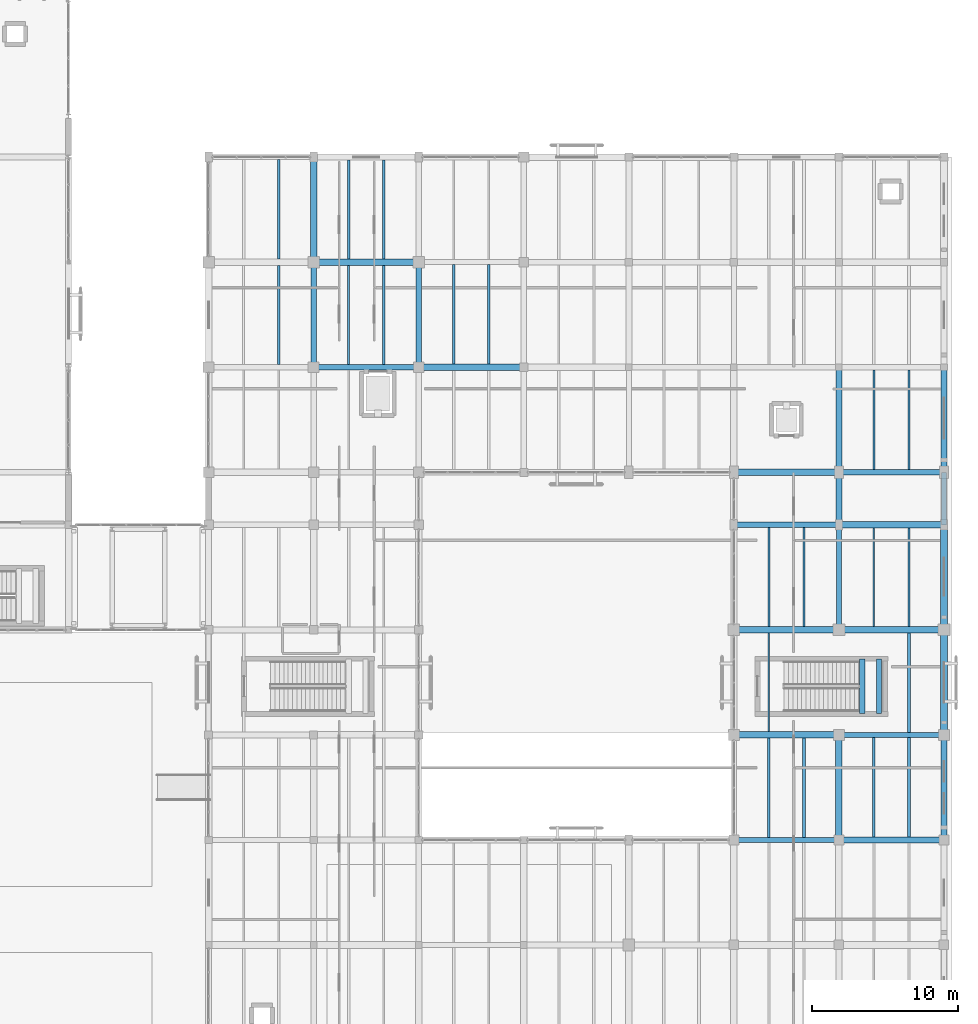
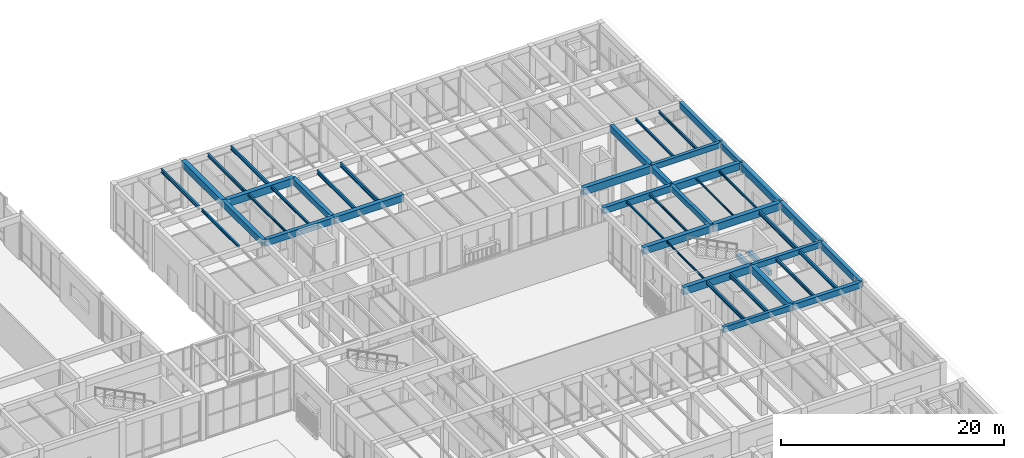
# One storey, part 103 of 169: 47 beams.
"""IFC4 building model written with IfcOpenShell, lengths in metres."""

from ifc_helpers import new_model, si_unit, direction, frame, origin, origin_2d, place, context, subcontext, project, spatial, rectangle, i_section, extrude, material, material_profile, profile_set, type_object, element, save


model = new_model("IFC4")

# Units and contexts
model_context = context("Model", 3, precision=1e-05, world=origin(), true_north=direction((0.0, 1.0)))
body_context = subcontext(model_context, "Body", "Model", "MODEL_VIEW")
ifc_project = project(units=[si_unit("LENGTHUNIT", "METRE"), si_unit("AREAUNIT", "SQUARE_METRE"), si_unit("VOLUMEUNIT", "CUBIC_METRE"), si_unit("PLANEANGLEUNIT", "RADIAN"), si_unit("MASSUNIT", "GRAM", prefix="KILO")], contexts=[model_context])

# Site, building, storey
site_placement = place(None, origin())
site = spatial("IfcSite", under=ifc_project, at=site_placement, CompositionType="ELEMENT")
building_placement = place(site_placement, origin())
building = spatial("IfcBuilding", under=site, at=building_placement, Name="Mazaris Harbour Polytechnic", CompositionType="ELEMENT")
storey_placement = place(building_placement, origin())
storey = spatial("IfcBuildingStorey", under=building, at=storey_placement, Name="L00", CompositionType="ELEMENT", Elevation=0.0)

# Beams
ifc_material_1 = material(Name="Concrete C35/45", Category="concrete")
ifc_material_profile_1 = material_profile(ifc_material_1, rectangle(XDim=0.35009765625, YDim=0.60009765625, at=origin_2d()), Name="RECT350x600")
ifc_profile_set_1 = profile_set([ifc_material_profile_1], Name="Concrete C35/45")
beam_type_1 = type_object("IfcBeamType", Name="RC Girder 350x600", PredefinedType="BEAM", material=ifc_profile_set_1)
beam_1_placement = place(storey_placement, frame((158.39990234375, 61.199951171875, 4.800048828125), z_axis=(1.0, 0.0, 0.0), x_axis=(0.0, 1.0, 0.0)))
element("IfcBeam", 1, at=beam_1_placement, inside=storey, type_object=beam_type_1, Name="V5 L00 Girder 2715", PredefinedType="BEAM", context=body_context, shape_type="SweptSolid", body=[
    extrude(rectangle(XDim=0.35009765625, YDim=0.60009765625, at=origin_2d()), origin(), (0.0, 0.0, 1.0), 7.2001953125),
])
for number, where, z_axis, x_axis, name in (
    (2, (165.60009765625, 68.39990234375, 4.800048828125), (1.0, 0.0, 0.0), (0.0, 1.0, 0.0), "V5 L00 Girder 2720"),
    (3, (165.60009765625, 86.39990234375, 4.800048828125), (1.0, 0.0, 0.0), (0.0, 1.0, 0.0), "V5 L00 Girder 2735"),
    (4, (165.60009765625, 75.60009765625, 4.800048828125), (0.0, 1.0, 0.0), (-1.0, 0.0, 0.0), "V5 L00 Tie Girder 2805"),
):
    element("IfcBeam", number, at=place(storey_placement, frame(where, z_axis=z_axis, x_axis=x_axis)), inside=storey, type_object=beam_type_1, Name=name, PredefinedType="BEAM", context=body_context, shape_type="SweptSolid", body=[
        extrude(rectangle(XDim=0.35009765625, YDim=0.60009765625, at=origin_2d()), origin(), (0.0, 0.0, 1.0), 7.199951171875),
    ])
ifc_material_2 = material(Name="Concrete C35/45", Category="concrete")
ifc_material_profile_2 = material_profile(ifc_material_2, rectangle(XDim=0.35009765625, YDim=0.60009765625, at=origin_2d()), Name="RECT350x600")
ifc_profile_set_2 = profile_set([ifc_material_profile_2], Name="Concrete C35/45")
beam_type_2 = type_object("IfcBeamType", Name="RC Girder 350x600 Exterior", PredefinedType="BEAM", material=ifc_profile_set_2)
beam_2_placement = place(storey_placement, frame((172.800048828125, 82.800048828125, 4.800048828125), z_axis=(0.0, 1.0, 0.0), x_axis=(-1.0, 0.0, 0.0)))
element("IfcBeam", 5, at=beam_2_placement, inside=storey, type_object=beam_type_2, Name="V5 L00 Tie Girder 2815", PredefinedType="BEAM", context=body_context, shape_type="SweptSolid", body=[
    extrude(rectangle(XDim=0.35009765625, YDim=0.60009765625, at=origin_2d()), origin(), (0.0, 0.0, 1.0), 3.599853515625),
])
ifc_material_3 = material(Name="Concrete C35/45", Category="concrete")
ifc_material_profile_3 = material_profile(ifc_material_3, rectangle(XDim=0.39990234375, YDim=0.64990234375, at=origin_2d()), Name="RECT400x650")
ifc_profile_set_3 = profile_set([ifc_material_profile_3], Name="Concrete C35/45")
beam_type_3 = type_object("IfcBeamType", Name="RC Girder 400x650", PredefinedType="BEAM", material=ifc_profile_set_3)
for number, where, z_axis, x_axis, name in (
    (6, (165.60009765625, 61.199951171875, 4.77490234375), (1.0, 0.0, 0.0), (0.0, 1.0, 0.0), "V5 L00 Girder 2716"),
    (7, (136.800048828125, 93.60009765625, 4.77490234375), (0.0, 1.0, 0.0), (-1.0, 0.0, 0.0), "V5 L00 Tie Girder 2781"),
):
    element("IfcBeam", number, at=place(storey_placement, frame(where, z_axis=z_axis, x_axis=x_axis)), inside=storey, type_object=beam_type_3, Name=name, PredefinedType="BEAM", context=body_context, shape_type="SweptSolid", body=[
        extrude(rectangle(XDim=0.39990234375, YDim=0.64990234375, at=origin_2d()), origin(), (0.0, 0.0, 1.0), 7.199951171875),
    ])
beam_3_placement = place(storey_placement, frame((165.60009765625, 82.800048828125, 4.77490234375), z_axis=(0.0, 1.0, 0.0), x_axis=(-1.0, 0.0, 0.0)))
element("IfcBeam", 8, at=beam_3_placement, inside=storey, type_object=beam_type_3, Name="V5 L00 Tie Girder 2806", PredefinedType="BEAM", context=body_context, shape_type="SweptSolid", body=[
    extrude(rectangle(XDim=0.39990234375, YDim=0.64990234375, at=origin_2d()), origin(), (0.0, 0.0, 1.0), 3.599853515625),
])
ifc_material_4 = material(Name="Concrete C35/45", Category="concrete")
ifc_material_profile_4 = material_profile(ifc_material_4, rectangle(XDim=0.39990234375, YDim=0.64990234375, at=origin_2d()), Name="RECT400x650")
ifc_profile_set_4 = profile_set([ifc_material_profile_4], Name="Concrete C35/45")
beam_type_4 = type_object("IfcBeamType", Name="RC Girder 400x650 Exterior", PredefinedType="BEAM", material=ifc_profile_set_4)
beam_4_placement = place(storey_placement, frame((172.800048828125, 86.39990234375, 4.77490234375), z_axis=(0.0, 1.0, 0.0), x_axis=(-1.0, 0.0, 0.0)))
element("IfcBeam", 9, at=beam_4_placement, inside=storey, type_object=beam_type_4, Name="V5 L00 Tie Girder 2816", PredefinedType="BEAM", context=body_context, shape_type="SweptSolid", body=[
    extrude(rectangle(XDim=0.39990234375, YDim=0.64990234375, at=origin_2d()), origin(), (0.0, 0.0, 1.0), 7.2001953125),
])
ifc_material_5 = material(Name="Concrete C35/45", Category="concrete")
ifc_material_profile_5 = material_profile(ifc_material_5, rectangle(XDim=0.39990234375, YDim=0.699951171875, at=origin_2d()), Name="RECT400x700")
ifc_profile_set_5 = profile_set([ifc_material_profile_5], Name="Concrete C35/45")
beam_type_5 = type_object("IfcBeamType", Name="RC Girder 400x700", PredefinedType="BEAM", material=ifc_profile_set_5)
beam_5_placement = place(storey_placement, frame((158.39990234375, 82.800048828125, 4.75), z_axis=(1.0, 0.0, 0.0), x_axis=(0.0, 1.0, 0.0)))
element("IfcBeam", 10, at=beam_5_placement, inside=storey, type_object=beam_type_5, Name="V5 L00 Girder 2727", PredefinedType="BEAM", context=body_context, shape_type="SweptSolid", body=[
    extrude(rectangle(XDim=0.39990234375, YDim=0.699951171875, at=origin_2d()), origin(), (0.0, 0.0, 1.0), 7.2001953125),
])
for number, where, z_axis, x_axis, name in (
    (11, (129.60009765625, 93.60009765625, 4.75), (1.0, 0.0, 0.0), (0.0, 1.0, 0.0), "V5 L00 Girder 2737"),
    (12, (129.60009765625, 93.60009765625, 4.75), (0.0, 1.0, 0.0), (-1.0, 0.0, 0.0), "V5 L00 Tie Girder 2772"),
):
    element("IfcBeam", number, at=place(storey_placement, frame(where, z_axis=z_axis, x_axis=x_axis)), inside=storey, type_object=beam_type_5, Name=name, PredefinedType="BEAM", context=body_context, shape_type="SweptSolid", body=[
        extrude(rectangle(XDim=0.39990234375, YDim=0.699951171875, at=origin_2d()), origin(), (0.0, 0.0, 1.0), 7.199951171875),
    ])
beam_6_placement = place(storey_placement, frame((165.60009765625, 86.39990234375, 4.75), z_axis=(0.0, 1.0, 0.0), x_axis=(-1.0, 0.0, 0.0)))
element("IfcBeam", 13, at=beam_6_placement, inside=storey, type_object=beam_type_5, Name="V5 L00 Tie Girder 2807", PredefinedType="BEAM", context=body_context, shape_type="SweptSolid", body=[
    extrude(rectangle(XDim=0.39990234375, YDim=0.699951171875, at=origin_2d()), origin(), (0.0, 0.0, 1.0), 7.2001953125),
])
ifc_material_6 = material(Name="Concrete C35/45", Category="concrete")
ifc_material_profile_6 = material_profile(ifc_material_6, rectangle(XDim=0.39990234375, YDim=0.699951171875, at=origin_2d()), Name="RECT400x700")
ifc_profile_set_6 = profile_set([ifc_material_profile_6], Name="Concrete C35/45")
beam_type_6 = type_object("IfcBeamType", Name="RC Girder 400x700 Exterior", PredefinedType="BEAM", material=ifc_profile_set_6)
beam_7_placement = place(storey_placement, frame((172.800048828125, 61.199951171875, 4.75), z_axis=(0.0, 1.0, 0.0), x_axis=(-1.0, 0.0, 0.0)))
element("IfcBeam", 14, at=beam_7_placement, inside=storey, type_object=beam_type_6, Name="V5 L00 Tie Girder 2812", PredefinedType="BEAM", context=body_context, shape_type="SweptSolid", body=[
    extrude(rectangle(XDim=0.39990234375, YDim=0.699951171875, at=origin_2d()), origin(), (0.0, 0.0, 1.0), 7.199951171875),
])
ifc_material_7 = material(Name="Concrete C40/50", Category="concrete")
ifc_material_profile_7 = material_profile(ifc_material_7, rectangle(XDim=0.449951171875, YDim=0.75, at=origin_2d()), Name="RECT450x750")
ifc_profile_set_7 = profile_set([ifc_material_profile_7], Name="Concrete C40/50")
beam_type_7 = type_object("IfcBeamType", Name="RC Girder 450x750", PredefinedType="BEAM", material=ifc_profile_set_7)
beam_8_placement = place(storey_placement, frame((158.39990234375, 75.60009765625, 4.72509765625), z_axis=(1.0, 0.0, 0.0), x_axis=(0.0, 1.0, 0.0)))
element("IfcBeam", 15, at=beam_8_placement, inside=storey, type_object=beam_type_7, Name="V5 L00 Girder 2723", PredefinedType="BEAM", context=body_context, shape_type="SweptSolid", body=[
    extrude(rectangle(XDim=0.449951171875, YDim=0.75, at=origin_2d()), origin(), (0.0, 0.0, 1.0), 7.2001953125),
])
for number, where, z_axis, x_axis, name in (
    (16, (165.60009765625, 82.800048828125, 4.72509765625), (1.0, 0.0, 0.0), (0.0, 1.0, 0.0), "V5 L00 Girder 2728"),
    (17, (136.800048828125, 93.60009765625, 4.72509765625), (1.0, 0.0, 0.0), (0.0, 1.0, 0.0), "V5 L00 Girder 2738"),
    (18, (129.60009765625, 100.800048828125, 4.72509765625), (0.0, 1.0, 0.0), (-1.0, 0.0, 0.0), "V5 L00 Tie Girder 2773"),
):
    element("IfcBeam", number, at=place(storey_placement, frame(where, z_axis=z_axis, x_axis=x_axis)), inside=storey, type_object=beam_type_7, Name=name, PredefinedType="BEAM", context=body_context, shape_type="SweptSolid", body=[
        extrude(rectangle(XDim=0.449951171875, YDim=0.75, at=origin_2d()), origin(), (0.0, 0.0, 1.0), 7.199951171875),
    ])
ifc_material_8 = material(Name="Concrete C40/50", Category="concrete")
ifc_material_profile_8 = material_profile(ifc_material_8, rectangle(XDim=0.449951171875, YDim=0.75, at=origin_2d()), Name="RECT450x750")
ifc_profile_set_8 = profile_set([ifc_material_profile_8], Name="Concrete C40/50")
beam_type_8 = type_object("IfcBeamType", Name="RC Girder 450x750 Exterior", PredefinedType="BEAM", material=ifc_profile_set_8)
beam_9_placement = place(storey_placement, frame((172.800048828125, 68.39990234375, 4.72509765625), z_axis=(0.0, 1.0, 0.0), x_axis=(-1.0, 0.0, 0.0)))
element("IfcBeam", 19, at=beam_9_placement, inside=storey, type_object=beam_type_8, Name="V5 L00 Tie Girder 2813", PredefinedType="BEAM", context=body_context, shape_type="SweptSolid", body=[
    extrude(rectangle(XDim=0.449951171875, YDim=0.75, at=origin_2d()), origin(), (0.0, 0.0, 1.0), 7.2001953125),
])
ifc_material_9 = material(Name="Concrete C40/50", Category="concrete")
ifc_material_profile_9 = material_profile(ifc_material_9, rectangle(XDim=0.449951171875, YDim=0.800048828125, at=origin_2d()), Name="RECT450x800")
ifc_profile_set_9 = profile_set([ifc_material_profile_9], Name="Concrete C40/50")
beam_type_9 = type_object("IfcBeamType", Name="RC Girder 450x800", PredefinedType="BEAM", material=ifc_profile_set_9)
beam_10_placement = place(storey_placement, frame((158.39990234375, 68.39990234375, 4.699951171875), z_axis=(1.0, 0.0, 0.0), x_axis=(0.0, 1.0, 0.0)))
element("IfcBeam", 20, at=beam_10_placement, inside=storey, type_object=beam_type_9, Name="V5 L00 Girder 2719", PredefinedType="BEAM", context=body_context, shape_type="SweptSolid", body=[
    extrude(rectangle(XDim=0.449951171875, YDim=0.800048828125, at=origin_2d()), origin(), (0.0, 0.0, 1.0), 7.2001953125),
])
beam_11_placement = place(storey_placement, frame((165.60009765625, 75.60009765625, 4.699951171875), z_axis=(1.0, 0.0, 0.0), x_axis=(0.0, 1.0, 0.0)))
element("IfcBeam", 21, at=beam_11_placement, inside=storey, type_object=beam_type_9, Name="V5 L00 Girder 2724", PredefinedType="BEAM", context=body_context, shape_type="SweptSolid", body=[
    extrude(rectangle(XDim=0.449951171875, YDim=0.800048828125, at=origin_2d()), origin(), (0.0, 0.0, 1.0), 7.199951171875),
])
beam_12_placement = place(storey_placement, frame((158.39990234375, 86.39990234375, 4.699951171875), z_axis=(1.0, 0.0, 0.0), x_axis=(0.0, 1.0, 0.0)))
element("IfcBeam", 22, at=beam_12_placement, inside=storey, type_object=beam_type_9, Name="V5 L00 Girder 2734", PredefinedType="BEAM", context=body_context, shape_type="SweptSolid", body=[
    extrude(rectangle(XDim=0.449951171875, YDim=0.800048828125, at=origin_2d()), origin(), (0.0, 0.0, 1.0), 7.2001953125),
])
for number, where, z_axis, x_axis, name in (
    (23, (129.60009765625, 100.800048828125, 4.699951171875), (1.0, 0.0, 0.0), (0.0, 1.0, 0.0), "V5 L00 Girder 2744"),
    (24, (165.60009765625, 61.199951171875, 4.699951171875), (0.0, 1.0, 0.0), (-1.0, 0.0, 0.0), "V5 L00 Tie Girder 2804"),
):
    element("IfcBeam", number, at=place(storey_placement, frame(where, z_axis=z_axis, x_axis=x_axis)), inside=storey, type_object=beam_type_9, Name=name, PredefinedType="BEAM", context=body_context, shape_type="SweptSolid", body=[
        extrude(rectangle(XDim=0.449951171875, YDim=0.800048828125, at=origin_2d()), origin(), (0.0, 0.0, 1.0), 7.199951171875),
    ])
ifc_material_10 = material(Name="Concrete C40/50", Category="concrete")
ifc_material_profile_10 = material_profile(ifc_material_10, rectangle(XDim=0.449951171875, YDim=0.800048828125, at=origin_2d()), Name="RECT450x800")
ifc_profile_set_10 = profile_set([ifc_material_profile_10], Name="Concrete C40/50")
beam_type_10 = type_object("IfcBeamType", Name="RC Girder 450x800 Exterior", PredefinedType="BEAM", material=ifc_profile_set_10)
beam_13_placement = place(storey_placement, frame((172.800048828125, 75.60009765625, 4.699951171875), z_axis=(0.0, 1.0, 0.0), x_axis=(-1.0, 0.0, 0.0)))
element("IfcBeam", 25, at=beam_13_placement, inside=storey, type_object=beam_type_10, Name="V5 L00 Tie Girder 2814", PredefinedType="BEAM", context=body_context, shape_type="SweptSolid", body=[
    extrude(rectangle(XDim=0.449951171875, YDim=0.800048828125, at=origin_2d()), origin(), (0.0, 0.0, 1.0), 7.199951171875),
])
ifc_material_11 = material(Name="Concrete C40/50", Category="concrete")
ifc_material_profile_11 = material_profile(ifc_material_11, rectangle(XDim=0.35009765625, YDim=0.52001953125, at=origin_2d()), Name="RECT350x520")
ifc_profile_set_11 = profile_set([ifc_material_profile_11], Name="Concrete C40/50")
beam_type_11 = type_object("IfcBeamType", Name="RC Landing Bearer 350x520", PredefinedType="BEAM", material=ifc_profile_set_11)
for number, where, z_axis, x_axis, name in (
    (26, (167.199951171875, 69.85009765625, 2.239990234375), (0.0, 1.0, 0.0), (-1.0, 0.0, 0.0), "Core ST10 L00 Landing Bearer"),
    (27, (168.35009765625, 69.85009765625, 2.239990234375), (0.0, 1.0, 0.0), (-1.0, 0.0, 0.0), "Core ST10 L00 Landing Bearer"),
):
    element("IfcBeam", number, at=place(storey_placement, frame(where, z_axis=z_axis, x_axis=x_axis)), inside=storey, type_object=beam_type_11, Name=name, PredefinedType="BEAM", context=body_context, shape_type="SweptSolid", body=[
        extrude(rectangle(XDim=0.35009765625, YDim=0.52001953125, at=origin_2d()), origin(), (0.0, 0.0, 1.0), 3.75),
    ])
ifc_material_12 = material(Name="Steel S355", Category="steel")
ifc_material_profile_12 = material_profile(ifc_material_12, i_section(OverallWidth=0.10009765625, OverallDepth=0.199951171875, WebThickness=0.005615234375, FlangeThickness=0.008544921875, FilletRadius=0.011962890625, at=origin_2d()), Name="IPE 200")
ifc_profile_set_12 = profile_set([ifc_material_profile_12], Name="Steel S355")
beam_type_12 = type_object("IfcBeamType", Name="Steel Joist IPE200", PredefinedType="JOIST", material=ifc_profile_set_12)
for number, where, z_axis, x_axis, name in (
    (28, (160.800048828125, 68.625, 5.0), (0.0, 1.0, 0.0), (-1.0, 0.0, 0.0), "V5 L00 Floor Joist 2884"),
    (29, (168.0, 75.824951171875, 5.0), (0.0, 1.0, 0.0), (-1.0, 0.0, 0.0), "V5 L00 Floor Joist 2898"),
):
    element("IfcBeam", number, at=place(storey_placement, frame(where, z_axis=z_axis, x_axis=x_axis)), inside=storey, type_object=beam_type_12, Name=name, PredefinedType="JOIST", context=body_context, shape_type="SweptSolid", body=[
        extrude(i_section(OverallWidth=0.10009765625, OverallDepth=0.199951171875, WebThickness=0.005615234375, FlangeThickness=0.008544921875, FilletRadius=0.011962890625, at=origin_2d()), origin(), (0.0, 0.0, 1.0), 6.75),
    ])
ifc_material_13 = material(Name="Steel S355", Category="steel")
ifc_material_profile_13 = material_profile(ifc_material_13, i_section(OverallWidth=0.1201171875, OverallDepth=0.239990234375, WebThickness=0.006103515625, FlangeThickness=0.009765625, FilletRadius=0.014892578125, at=origin_2d()), Name="IPE 240")
ifc_profile_set_13 = profile_set([ifc_material_profile_13], Name="Steel S355")
beam_type_13 = type_object("IfcBeamType", Name="Steel Joist IPE240", PredefinedType="JOIST", material=ifc_profile_set_13)
beam_14_placement = place(storey_placement, frame((160.800048828125, 75.824951171875, 4.97998046875), z_axis=(0.0, 1.0, 0.0), x_axis=(-1.0, 0.0, 0.0)))
element("IfcBeam", 30, at=beam_14_placement, inside=storey, type_object=beam_type_13, Name="V5 L00 Floor Joist 2885", PredefinedType="JOIST", context=body_context, shape_type="SweptSolid", body=[
    extrude(i_section(OverallWidth=0.1201171875, OverallDepth=0.239990234375, WebThickness=0.006103515625, FlangeThickness=0.009765625, FilletRadius=0.014892578125, at=origin_2d()), origin(), (0.0, 0.0, 1.0), 6.775146484375),
])
beam_15_placement = place(storey_placement, frame((170.39990234375, 75.824951171875, 4.97998046875), z_axis=(0.0, 1.0, 0.0), x_axis=(-1.0, 0.0, 0.0)))
element("IfcBeam", 31, at=beam_15_placement, inside=storey, type_object=beam_type_13, Name="V5 L00 Floor Joist 2899", PredefinedType="JOIST", context=body_context, shape_type="SweptSolid", body=[
    extrude(i_section(OverallWidth=0.1201171875, OverallDepth=0.239990234375, WebThickness=0.006103515625, FlangeThickness=0.009765625, FilletRadius=0.014892578125, at=origin_2d()), origin(), (0.0, 0.0, 1.0), 6.75),
])
ifc_material_14 = material(Name="Steel S355", Category="steel")
ifc_material_profile_14 = material_profile(ifc_material_14, i_section(OverallWidth=0.135009765625, OverallDepth=0.27001953125, WebThickness=0.006591796875, FlangeThickness=0.01025390625, FilletRadius=0.014892578125, at=origin_2d()), Name="IPE 270")
ifc_profile_set_14 = profile_set([ifc_material_profile_14], Name="Steel S355")
beam_type_14 = type_object("IfcBeamType", Name="Steel Joist IPE270", PredefinedType="JOIST", material=ifc_profile_set_14)
beam_16_placement = place(storey_placement, frame((132.0, 93.800048828125, 4.965087890625), z_axis=(0.0, 1.0, 0.0), x_axis=(-1.0, 0.0, 0.0)))
element("IfcBeam", 32, at=beam_16_placement, inside=storey, type_object=beam_type_14, Name="V5 L00 Floor Joist 2844", PredefinedType="JOIST", context=body_context, shape_type="SweptSolid", body=[
    extrude(i_section(OverallWidth=0.135009765625, OverallDepth=0.27001953125, WebThickness=0.006591796875, FlangeThickness=0.01025390625, FilletRadius=0.014892578125, at=origin_2d()), origin(), (0.0, 0.0, 1.0), 6.77490234375),
])
beam_17_placement = place(storey_placement, frame((163.199951171875, 75.824951171875, 4.965087890625), z_axis=(0.0, 1.0, 0.0), x_axis=(-1.0, 0.0, 0.0)))
element("IfcBeam", 33, at=beam_17_placement, inside=storey, type_object=beam_type_14, Name="V5 L00 Floor Joist 2886", PredefinedType="JOIST", context=body_context, shape_type="SweptSolid", body=[
    extrude(i_section(OverallWidth=0.135009765625, OverallDepth=0.27001953125, WebThickness=0.006591796875, FlangeThickness=0.01025390625, FilletRadius=0.014892578125, at=origin_2d()), origin(), (0.0, 0.0, 1.0), 6.775146484375),
])
beam_18_placement = place(storey_placement, frame((168.0, 86.574951171875, 4.965087890625), z_axis=(0.0, 1.0, 0.0), x_axis=(-1.0, 0.0, 0.0)))
element("IfcBeam", 34, at=beam_18_placement, inside=storey, type_object=beam_type_14, Name="V5 L00 Floor Joist 2900", PredefinedType="JOIST", context=body_context, shape_type="SweptSolid", body=[
    extrude(i_section(OverallWidth=0.135009765625, OverallDepth=0.27001953125, WebThickness=0.006591796875, FlangeThickness=0.01025390625, FilletRadius=0.014892578125, at=origin_2d()), origin(), (0.0, 0.0, 1.0), 6.824951171875),
])
ifc_material_15 = material(Name="Steel S355", Category="steel")
ifc_material_profile_15 = material_profile(ifc_material_15, i_section(OverallWidth=0.14990234375, OverallDepth=0.300048828125, WebThickness=0.007080078125, FlangeThickness=0.0107421875, FilletRadius=0.014892578125, at=origin_2d()), Name="IPE 300")
ifc_profile_set_15 = profile_set([ifc_material_profile_15], Name="Steel S355")
beam_type_15 = type_object("IfcBeamType", Name="Steel Joist IPE300", PredefinedType="JOIST", material=ifc_profile_set_15)
for number, where, z_axis, x_axis, name in (
    (35, (127.199951171875, 93.800048828125, 4.949951171875), (0.0, 1.0, 0.0), (-1.0, 0.0, 0.0), "V5 L00 Floor Joist 2831"),
    (36, (134.39990234375, 93.800048828125, 4.949951171875), (0.0, 1.0, 0.0), (-1.0, 0.0, 0.0), "V5 L00 Floor Joist 2845"),
):
    element("IfcBeam", number, at=place(storey_placement, frame(where, z_axis=z_axis, x_axis=x_axis)), inside=storey, type_object=beam_type_15, Name=name, PredefinedType="JOIST", context=body_context, shape_type="SweptSolid", body=[
        extrude(i_section(OverallWidth=0.14990234375, OverallDepth=0.300048828125, WebThickness=0.007080078125, FlangeThickness=0.0107421875, FilletRadius=0.014892578125, at=origin_2d()), origin(), (0.0, 0.0, 1.0), 6.77490234375),
    ])
beam_19_placement = place(storey_placement, frame((170.39990234375, 86.574951171875, 4.949951171875), z_axis=(0.0, 1.0, 0.0), x_axis=(-1.0, 0.0, 0.0)))
element("IfcBeam", 37, at=beam_19_placement, inside=storey, type_object=beam_type_15, Name="V5 L00 Floor Joist 2901", PredefinedType="JOIST", context=body_context, shape_type="SweptSolid", body=[
    extrude(i_section(OverallWidth=0.14990234375, OverallDepth=0.300048828125, WebThickness=0.007080078125, FlangeThickness=0.0107421875, FilletRadius=0.014892578125, at=origin_2d()), origin(), (0.0, 0.0, 1.0), 6.824951171875),
])
ifc_material_16 = material(Name="Steel S355", Category="steel")
ifc_material_profile_16 = material_profile(ifc_material_16, i_section(OverallWidth=0.169921875, OverallDepth=0.360107421875, WebThickness=0.008056640625, FlangeThickness=0.0126953125, FilletRadius=0.01806640625, at=origin_2d()), Name="IPE 360")
ifc_profile_set_16 = profile_set([ifc_material_profile_16], Name="Steel S355")
beam_type_16 = type_object("IfcBeamType", Name="Steel Joist IPE360", PredefinedType="JOIST", material=ifc_profile_set_16)
beam_20_placement = place(storey_placement, frame((132.0, 101.02490234375, 4.919921875), z_axis=(0.0, 1.0, 0.0), x_axis=(-1.0, 0.0, 0.0)))
element("IfcBeam", 38, at=beam_20_placement, inside=storey, type_object=beam_type_16, Name="V5 L00 Floor Joist 2846", PredefinedType="JOIST", context=body_context, shape_type="SweptSolid", body=[
    extrude(i_section(OverallWidth=0.169921875, OverallDepth=0.360107421875, WebThickness=0.008056640625, FlangeThickness=0.0126953125, FilletRadius=0.01806640625, at=origin_2d()), origin(), (0.0, 0.0, 1.0), 6.775146484375),
])
beam_21_placement = place(storey_placement, frame((168.0, 61.39990234375, 4.919921875), z_axis=(0.0, 1.0, 0.0), x_axis=(-1.0, 0.0, 0.0)))
element("IfcBeam", 39, at=beam_21_placement, inside=storey, type_object=beam_type_16, Name="V5 L00 Floor Joist 2895", PredefinedType="JOIST", context=body_context, shape_type="SweptSolid", body=[
    extrude(i_section(OverallWidth=0.169921875, OverallDepth=0.360107421875, WebThickness=0.008056640625, FlangeThickness=0.0126953125, FilletRadius=0.01806640625, at=origin_2d()), origin(), (0.0, 0.0, 1.0), 6.8251953125),
])
ifc_material_17 = material(Name="Steel S355", Category="steel")
ifc_material_profile_17 = material_profile(ifc_material_17, i_section(OverallWidth=0.179931640625, OverallDepth=0.39990234375, WebThickness=0.008544921875, FlangeThickness=0.013427734375, FilletRadius=0.02099609375, at=origin_2d()), Name="IPE 400")
ifc_profile_set_17 = profile_set([ifc_material_profile_17], Name="Steel S355")
beam_type_17 = type_object("IfcBeamType", Name="Steel Joist IPE400", PredefinedType="JOIST", material=ifc_profile_set_17)
beam_22_placement = place(storey_placement, frame((127.199951171875, 101.02490234375, 4.89990234375), z_axis=(0.0, 1.0, 0.0), x_axis=(-1.0, 0.0, 0.0)))
element("IfcBeam", 40, at=beam_22_placement, inside=storey, type_object=beam_type_17, Name="V5 L00 Floor Joist 2833", PredefinedType="JOIST", context=body_context, shape_type="SweptSolid", body=[
    extrude(i_section(OverallWidth=0.179931640625, OverallDepth=0.39990234375, WebThickness=0.008544921875, FlangeThickness=0.013427734375, FilletRadius=0.02099609375, at=origin_2d()), origin(), (0.0, 0.0, 1.0), 6.800048828125),
])
beam_23_placement = place(storey_placement, frame((134.39990234375, 101.02490234375, 4.89990234375), z_axis=(0.0, 1.0, 0.0), x_axis=(-1.0, 0.0, 0.0)))
element("IfcBeam", 41, at=beam_23_placement, inside=storey, type_object=beam_type_17, Name="V5 L00 Floor Joist 2847", PredefinedType="JOIST", context=body_context, shape_type="SweptSolid", body=[
    extrude(i_section(OverallWidth=0.179931640625, OverallDepth=0.39990234375, WebThickness=0.008544921875, FlangeThickness=0.013427734375, FilletRadius=0.02099609375, at=origin_2d()), origin(), (0.0, 0.0, 1.0), 6.775146484375),
])
for number, where, z_axis, x_axis, name in (
    (42, (139.199951171875, 93.824951171875, 4.89990234375), (0.0, 1.0, 0.0), (-1.0, 0.0, 0.0), "V5 L00 Floor Joist 2854"),
    (43, (160.800048828125, 61.375, 4.89990234375), (0.0, 1.0, 0.0), (-1.0, 0.0, 0.0), "V5 L00 Floor Joist 2882"),
):
    element("IfcBeam", number, at=place(storey_placement, frame(where, z_axis=z_axis, x_axis=x_axis)), inside=storey, type_object=beam_type_17, Name=name, PredefinedType="JOIST", context=body_context, shape_type="SweptSolid", body=[
        extrude(i_section(OverallWidth=0.179931640625, OverallDepth=0.39990234375, WebThickness=0.008544921875, FlangeThickness=0.013427734375, FilletRadius=0.02099609375, at=origin_2d()), origin(), (0.0, 0.0, 1.0), 6.800048828125),
    ])
beam_24_placement = place(storey_placement, frame((170.39990234375, 61.39990234375, 4.89990234375), z_axis=(0.0, 1.0, 0.0), x_axis=(-1.0, 0.0, 0.0)))
element("IfcBeam", 44, at=beam_24_placement, inside=storey, type_object=beam_type_17, Name="V5 L00 Floor Joist 2896", PredefinedType="JOIST", context=body_context, shape_type="SweptSolid", body=[
    extrude(i_section(OverallWidth=0.179931640625, OverallDepth=0.39990234375, WebThickness=0.008544921875, FlangeThickness=0.013427734375, FilletRadius=0.02099609375, at=origin_2d()), origin(), (0.0, 0.0, 1.0), 6.8251953125),
])
ifc_material_18 = material(Name="Steel S355", Category="steel")
ifc_material_profile_18 = material_profile(ifc_material_18, i_section(OverallWidth=0.18994140625, OverallDepth=0.449951171875, WebThickness=0.009521484375, FlangeThickness=0.0146484375, FilletRadius=0.02099609375, at=origin_2d()), Name="IPE 450")
ifc_profile_set_18 = profile_set([ifc_material_profile_18], Name="Steel S355")
beam_type_18 = type_object("IfcBeamType", Name="Steel Joist IPE450", PredefinedType="JOIST", material=ifc_profile_set_18)
for number, where, z_axis, x_axis, name in (
    (45, (141.60009765625, 93.824951171875, 4.875), (0.0, 1.0, 0.0), (-1.0, 0.0, 0.0), "V5 L00 Floor Joist 2855"),
    (46, (163.199951171875, 61.375, 4.875), (0.0, 1.0, 0.0), (-1.0, 0.0, 0.0), "V5 L00 Floor Joist 2883"),
    (47, (170.39990234375, 68.574951171875, 4.875), (0.0, 1.0, 0.0), (-1.0, 0.0, 0.0), "V5 L00 Floor Joist 2897"),
):
    element("IfcBeam", number, at=place(storey_placement, frame(where, z_axis=z_axis, x_axis=x_axis)), inside=storey, type_object=beam_type_18, Name=name, PredefinedType="JOIST", context=body_context, shape_type="SweptSolid", body=[
        extrude(i_section(OverallWidth=0.18994140625, OverallDepth=0.449951171875, WebThickness=0.009521484375, FlangeThickness=0.0146484375, FilletRadius=0.02099609375, at=origin_2d()), origin(), (0.0, 0.0, 1.0), 6.800048828125),
    ])

save(model, "model.ifc")
